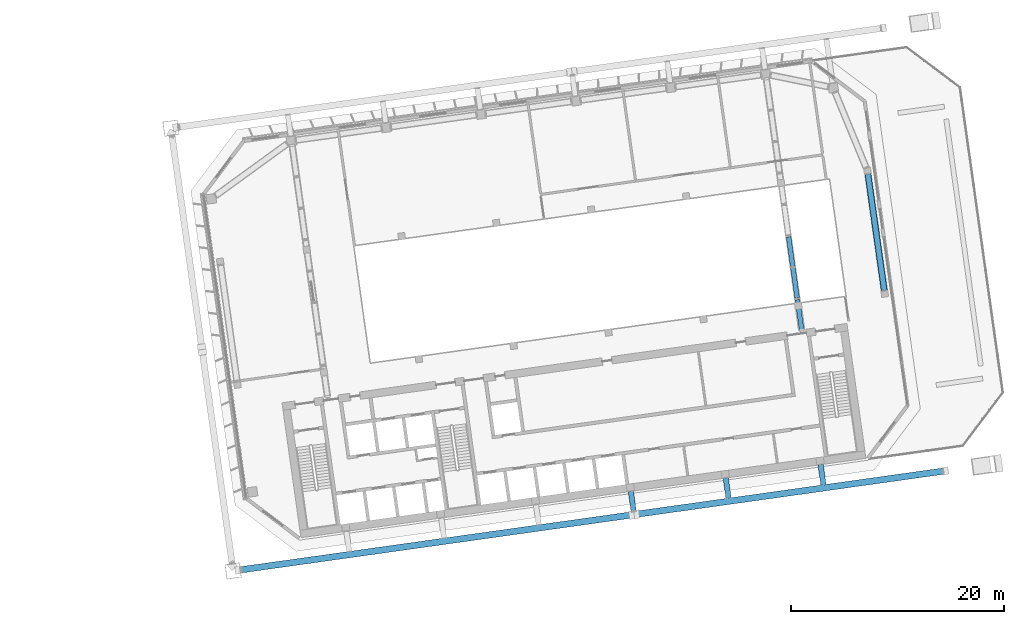
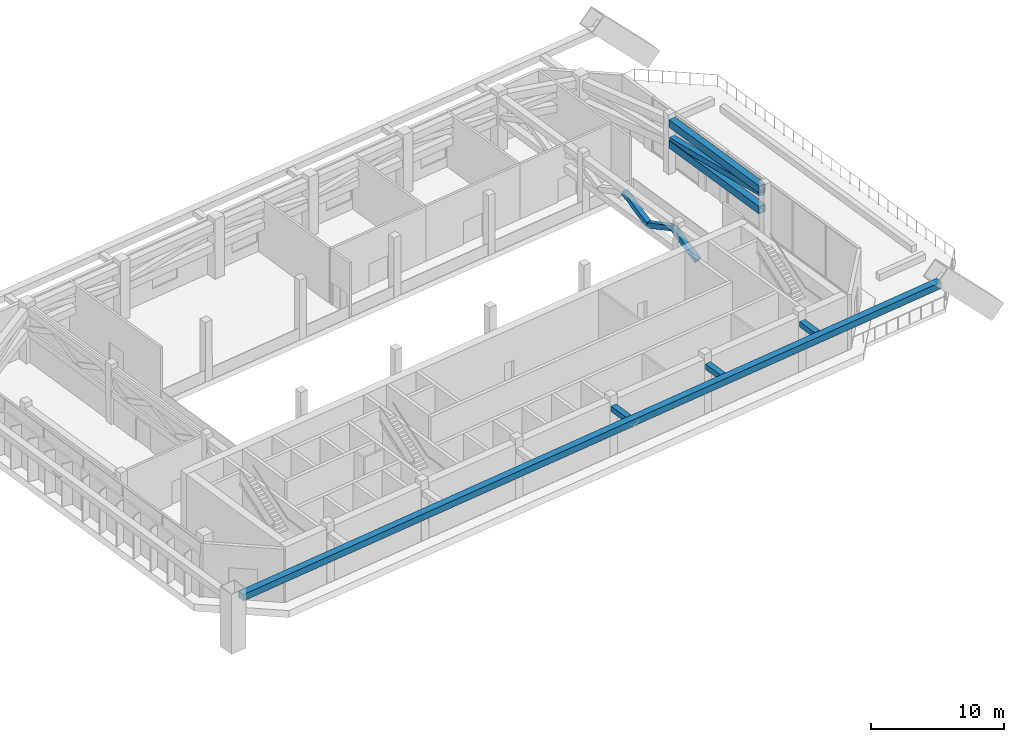
# One storey, part 14 of 41: 10 members.
"""IFC4 building model written with IfcOpenShell, lengths in metres."""

from ifc_helpers import new_model, si_unit, direction, frame, origin, origin_2d, place, context, subcontext, project, spatial, hollow_rectangle, extrude, material, material_profile, profile_set, type_object, element, save


model = new_model("IFC4")

# Units and contexts
model_context = context("Model", 3, precision=1e-05, world=origin(), true_north=direction((0.0, 1.0)))
body_context = subcontext(model_context, "Body", "Model", "MODEL_VIEW")
ifc_project = project(units=[si_unit("LENGTHUNIT", "METRE"), si_unit("AREAUNIT", "SQUARE_METRE"), si_unit("VOLUMEUNIT", "CUBIC_METRE"), si_unit("PLANEANGLEUNIT", "RADIAN"), si_unit("MASSUNIT", "GRAM", prefix="KILO")], contexts=[model_context])

# Site, building, storey
site_placement = place(None, origin())
site = spatial("IfcSite", under=ifc_project, at=site_placement, CompositionType="ELEMENT")
building_placement = place(site_placement, origin())
building = spatial("IfcBuilding", under=site, at=building_placement, Name="Mirante Cascada Hotel Towers", CompositionType="ELEMENT")
storey_placement = place(building_placement, frame((0.0, 0.0, 151.9)))
storey = spatial("IfcBuildingStorey", under=building, at=storey_placement, Name="L35", CompositionType="ELEMENT", Elevation=151.9)

# Members
ifc_material_1 = material(Name="Steel ASTM A572 Gr 50", Category="steel")
ifc_material_profile_1 = material_profile(ifc_material_1, hollow_rectangle(XDim=0.6, YDim=0.6, WallThickness=0.04, at=origin_2d()), Name="Box chord 600x600x40 ASTM A572 Gr 50")
ifc_profile_set_1 = profile_set([ifc_material_profile_1], Name="Steel ASTM A572 Gr 50")
member_type_1 = type_object("IfcMemberType", Name="Box chord 600x600x40 ASTM A572 Gr 50", PredefinedType="CHORD", material=ifc_profile_set_1)
member_1_placement = place(storey_placement, frame((31.6791, -22.9704, 4.35), z_axis=(0.990268, 0.1391739, 0.0), x_axis=(-0.1391739, 0.990268, 0.0)))
element("IfcMember", 1, at=member_1_placement, inside=storey, type_object=member_type_1, Name="exochord T2 L35 2", PredefinedType="CHORD", context=body_context, shape_type="SweptSolid", body=[
    extrude(hollow_rectangle(XDim=0.6, YDim=0.6, WallThickness=0.04, at=origin_2d()), origin(), (0.0, 0.0, 1.0), 66.5886),
])
ifc_material_2 = material(Name="Steel ASTM A572 Gr 50", Category="steel")
ifc_material_profile_2 = material_profile(ifc_material_2, hollow_rectangle(XDim=0.6, YDim=0.7, WallThickness=0.05, at=origin_2d()), Name="Box chord 700x600x50 ASTM A572 Gr 50")
ifc_profile_set_2 = profile_set([ifc_material_profile_2], Name="Steel ASTM A572 Gr 50")
member_type_2 = type_object("IfcMemberType", Name="Box chord 700x600x50 ASTM A572 Gr 50", PredefinedType="CHORD", material=ifc_profile_set_2)
for number, where, z_axis, x_axis, name in (
    (2, (90.5342, 14.2024, 4.7), (0.1391663, -0.990269, 0.0), (0.990269, 0.1391663, 0.0), "belt T2 L35 25"),
    (3, (90.5342, 14.2024, 2.8), (0.1391663, -0.990269, 0.0), (0.990269, 0.1391663, 0.0), "belt T2 L35 26"),
):
    element("IfcMember", number, at=place(storey_placement, frame(where, z_axis=z_axis, x_axis=x_axis)), inside=storey, type_object=member_type_2, Name=name, PredefinedType="CHORD", context=body_context, shape_type="SweptSolid", body=[
        extrude(hollow_rectangle(XDim=0.6, YDim=0.7, WallThickness=0.05, at=origin_2d()), origin(), (0.0, 0.0, 1.0), 11.04),
    ])
ifc_material_3 = material(Name="Steel ASTM A572 Gr 50", Category="steel")
ifc_material_profile_3 = material_profile(ifc_material_3, hollow_rectangle(XDim=0.45, YDim=0.45, WallThickness=0.03, at=origin_2d()), Name="Box diagonal 450x450x30 ASTM A572 Gr 50")
ifc_profile_set_3 = profile_set([ifc_material_profile_3], Name="Steel ASTM A572 Gr 50")
member_type_3 = type_object("IfcMemberType", Name="Box diagonal 450x450x30 ASTM A572 Gr 50", PredefinedType="BRACE", material=ifc_profile_set_3)
member_2_placement = place(storey_placement, frame((84.3137, -0.456, 3.1), z_axis=(-0.1267752, 0.9020928, 0.4125005), x_axis=(-0.9902689, -0.1391669, 0.0)))
element("IfcMember", 4, at=member_2_placement, inside=storey, type_object=member_type_3, Name="outrigger T2 L35 13", PredefinedType="BRACE", context=body_context, shape_type="SweptSolid", body=[
    extrude(hollow_rectangle(XDim=0.45, YDim=0.45, WallThickness=0.03, at=origin_2d()), origin(), (0.0, 0.0, 1.0), 3.2727),
])
for number, where, z_axis, x_axis, name in (
    (5, (83.8988, 2.4963, 4.45), (-0.1267787, 0.9020871, -0.4125119), (-0.9902683, -0.1391716, 0.0), "outrigger T2 L35 14"),
    (6, (83.4839, 5.4485, 3.1), (-0.1267787, 0.9020871, 0.4125119), (-0.9902683, -0.1391716, 0.0), "outrigger T2 L35 15"),
):
    element("IfcMember", number, at=place(storey_placement, frame(where, z_axis=z_axis, x_axis=x_axis)), inside=storey, type_object=member_type_3, Name=name, PredefinedType="BRACE", context=body_context, shape_type="SweptSolid", body=[
        extrude(hollow_rectangle(XDim=0.45, YDim=0.45, WallThickness=0.03, at=origin_2d()), origin(), (0.0, 0.0, 1.0), 3.2726),
    ])
ifc_material_4 = material(Name="Steel ASTM A572 Gr 50", Category="steel")
ifc_material_profile_4 = material_profile(ifc_material_4, hollow_rectangle(XDim=0.5, YDim=0.5, WallThickness=0.035, at=origin_2d()), Name="Box diagonal 500x500x35 ASTM A572 Gr 50")
ifc_profile_set_4 = profile_set([ifc_material_profile_4], Name="Steel ASTM A572 Gr 50")
member_type_4 = type_object("IfcMemberType", Name="Box diagonal 500x500x35 ASTM A572 Gr 50", PredefinedType="BRACE", material=ifc_profile_set_4)
member_3_placement = place(storey_placement, frame((90.5342, 14.2024, 3.15), z_axis=(0.1383514, -0.9844705, 0.1080589), x_axis=(0.990269, 0.1391663, 0.0)))
element("IfcMember", 7, at=member_3_placement, inside=storey, type_object=member_type_4, Name="belt T2 L35 27", PredefinedType="BRACE", context=body_context, shape_type="SweptSolid", body=[
    extrude(hollow_rectangle(XDim=0.5, YDim=0.5, WallThickness=0.035, at=origin_2d()), origin(), (0.0, 0.0, 1.0), 11.1051),
])
ifc_material_5 = material(Name="Steel ASTM A572 Gr 50", Category="steel")
ifc_material_profile_5 = material_profile(ifc_material_5, hollow_rectangle(XDim=0.5, YDim=0.5, WallThickness=0.035, at=origin_2d()), Name="Box tie 500x500x35 ASTM A572 Gr 50")
ifc_profile_set_5 = profile_set([ifc_material_profile_5], Name="Steel ASTM A572 Gr 50")
member_type_5 = type_object("IfcMemberType", Name="Box tie 500x500x35 ASTM A572 Gr 50", PredefinedType="STRUT", material=ifc_profile_set_5)
member_4_placement = place(storey_placement, frame((68.2633, -15.587, 4.35), z_axis=(0.1391766, -0.9902676, 0.0), x_axis=(0.9902676, 0.1391766, 0.0)))
element("IfcMember", 8, at=member_4_placement, inside=storey, type_object=member_type_5, Name="tie T2 L35 8", PredefinedType="STRUT", context=body_context, shape_type="SweptSolid", body=[
    extrude(hollow_rectangle(XDim=0.5, YDim=0.5, WallThickness=0.035, at=origin_2d()), origin(), (0.0, 0.0, 1.0), 1.94),
])
member_5_placement = place(storey_placement, frame((77.1757, -14.3344, 4.35), z_axis=(0.1391695, -0.9902686, 0.0), x_axis=(0.9902686, 0.1391695, 0.0)))
element("IfcMember", 9, at=member_5_placement, inside=storey, type_object=member_type_5, Name="tie T2 L35 10", PredefinedType="STRUT", context=body_context, shape_type="SweptSolid", body=[
    extrude(hollow_rectangle(XDim=0.5, YDim=0.5, WallThickness=0.035, at=origin_2d()), origin(), (0.0, 0.0, 1.0), 1.9401),
])
member_6_placement = place(storey_placement, frame((86.0881, -13.0819, 4.35), z_axis=(0.1391766, -0.9902676, 0.0), x_axis=(0.9902676, 0.1391766, 0.0)))
element("IfcMember", 10, at=member_6_placement, inside=storey, type_object=member_type_5, Name="tie T2 L35 12", PredefinedType="STRUT", context=body_context, shape_type="SweptSolid", body=[
    extrude(hollow_rectangle(XDim=0.5, YDim=0.5, WallThickness=0.035, at=origin_2d()), origin(), (0.0, 0.0, 1.0), 1.94),
])

save(model, "model.ifc")
